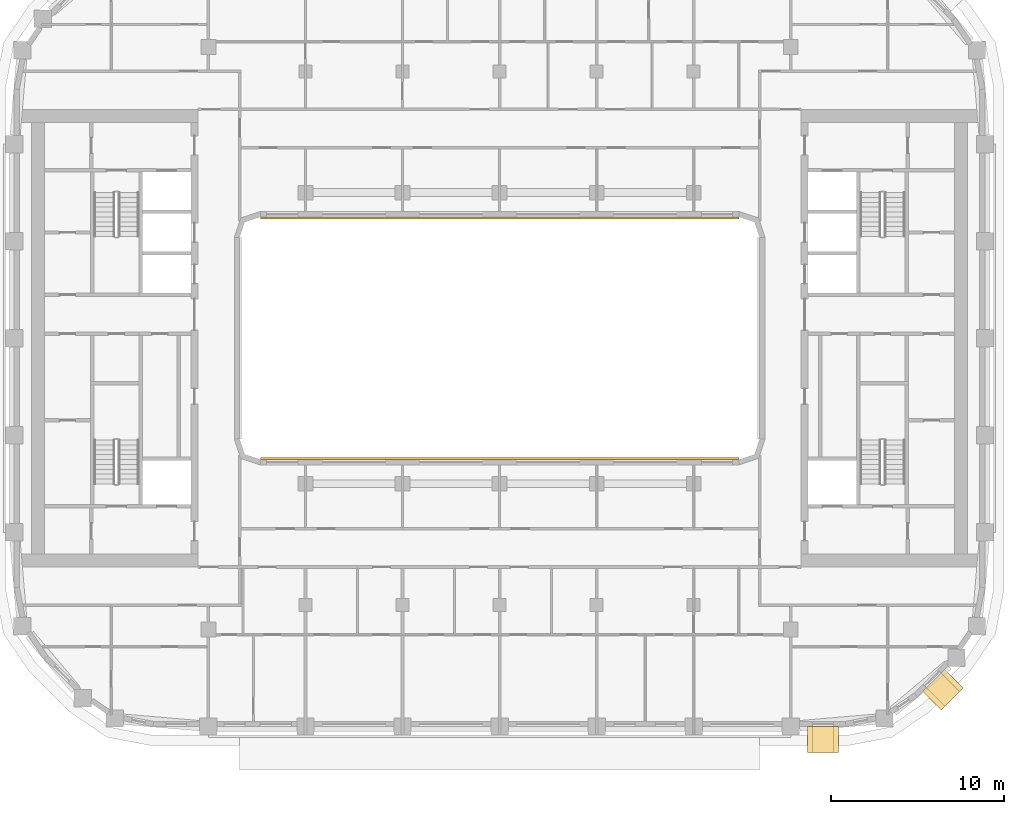
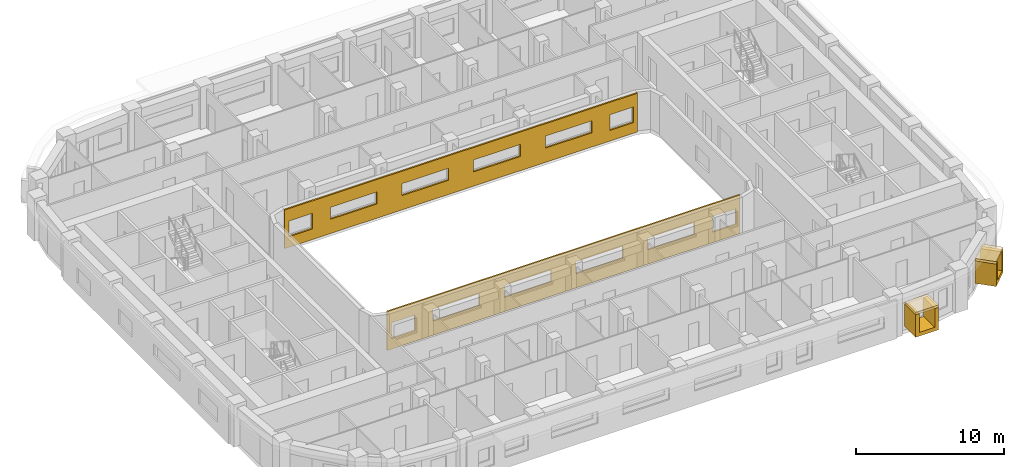
# One storey, part 16 of 22: 6 coverings.
"""IFC4 building model written with IfcOpenShell, lengths in metres."""

from ifc_helpers import new_model, si_unit, direction, frame, origin, origin_2d, place, context, subcontext, project, spatial, polyline, rectangle, outline, extrude, material, layer, layer_set, type_object, element, save


model = new_model("IFC4")

# Units and contexts
model_context = context("Model", 3, precision=1e-05, world=origin(), true_north=direction((0.0, 1.0)))
body_context = subcontext(model_context, "Body", "Model", "MODEL_VIEW")
ifc_project = project(units=[si_unit("LENGTHUNIT", "METRE"), si_unit("AREAUNIT", "SQUARE_METRE"), si_unit("VOLUMEUNIT", "CUBIC_METRE"), si_unit("PLANEANGLEUNIT", "RADIAN"), si_unit("MASSUNIT", "GRAM", prefix="KILO")], contexts=[model_context])

# Site, building, storey
site_placement = place(None, origin())
site = spatial("IfcSite", under=ifc_project, at=site_placement, CompositionType="ELEMENT")
building_placement = place(site_placement, origin())
building = spatial("IfcBuilding", under=site, at=building_placement, Name="Kiln Ring Residences", CompositionType="ELEMENT")
storey_placement = place(building_placement, frame((0.0, 0.0, 164.10009765625)))
storey = spatial("IfcBuildingStorey", under=building, at=storey_placement, Name="L42", CompositionType="ELEMENT", Elevation=164.10009765625)

# Coverings
ifc_material_1 = material(Name="Brick masonry, dark clay brick", Category="masonry")
ifc_layer_1 = layer(ifc_material_1, 0.300048828125)
ifc_layer_set_1 = layer_set([ifc_layer_1], Name="FRAME CHEEKS AND SILL 1500")
covering_type_1 = type_object("IfcCoveringType", Name="FRAME CHEEKS AND SILL 1500", PredefinedType="CLADDING", material=ifc_layer_set_1)
covering_1_placement = place(storey_placement, frame((17.75, -23.14990234375, 0.2998046875), z_axis=(0.0, 0.0, 1.0), x_axis=(1.0, 0.0, 0.0)))
element("IfcCovering", 1, at=covering_1_placement, inside=storey, type_object=covering_type_1, Name="FRAME L42", PredefinedType="CLADDING", context=body_context, shape_type="SweptSolid", body=[
    extrude(outline(polyline([(0.0, 0.0), (1.800048828125, 0.0), (1.800048828125, 1.85009765625), (1.5009765625, 1.85009765625), (1.5, 0.300048828125), (0.300048828125, 0.300048828125), (0.299072265625, 1.85009765625), (0.0, 1.85009765625), (0.0, 0.0)])), frame((0.0, 0.75, 0.0), z_axis=(0.0, -1.0, 0.0), x_axis=(1.0, 0.0, 0.0)), (0.0, 0.0, 1.0), 1.5),
])
covering_2_placement = place(storey_placement, frame((24.945556640625, -20.9150390625, 0.2998046875), z_axis=(0.0, 0.0, 1.0), x_axis=(0.707106781187, 0.707106781187, 0.0)))
element("IfcCovering", 2, at=covering_2_placement, inside=storey, type_object=covering_type_1, Name="FRAME L42", PredefinedType="CLADDING", context=body_context, shape_type="SweptSolid", body=[
    extrude(outline(polyline([(0.0, 0.0), (1.7998046875, 0.0), (1.800048828125, 1.85009765625), (1.5009765625, 1.85009765625), (1.5, 0.300048828125), (0.300048828125, 0.300048828125), (0.299072265625, 1.85009765625), (0.0, 1.85009765625), (0.0, 0.0)])), frame((0.0, 0.75, 0.0), z_axis=(0.0, -1.0, 0.0), x_axis=(1.0, 0.0, 0.0)), (0.0, 0.0, 1.0), 1.5),
])
ifc_material_2 = material(Name="Brick masonry, dark clay brick", Category="masonry")
ifc_layer_2 = layer(ifc_material_2, 0.199951171875)
ifc_layer_set_2 = layer_set([ifc_layer_2], Name="FRAME HEAD 1500")
covering_type_2 = type_object("IfcCoveringType", Name="FRAME HEAD 1500", PredefinedType="CLADDING", material=ifc_layer_set_2)
for number, where, z_axis, x_axis, name in (
    (3, (18.64990234375, -23.14990234375, 2.14990234375), (0.0, 0.0, 1.0), (1.0, 0.0, 0.0), "FRAME HEAD L42"),
    (4, (25.58203125, -20.278564453125, 2.14990234375), (0.0, 0.0, 1.0), (0.707106781187, 0.707106781187, 0.0), "FRAME HEAD L42"),
):
    element("IfcCovering", number, at=place(storey_placement, frame(where, z_axis=z_axis, x_axis=x_axis)), inside=storey, type_object=covering_type_2, Name=name, PredefinedType="CLADDING", context=body_context, shape_type="SweptSolid", body=[
        extrude(rectangle(XDim=1.800048828125, YDim=1.5, at=origin_2d()), origin(), (0.0, 0.0, 1.0), 0.199951171875),
    ])
ifc_material_3 = material(Name="Brick masonry, dark clay brick", Category="masonry")
ifc_layer_3 = layer(ifc_material_3, 0.1201171875)
ifc_layer_set_3 = layer_set([ifc_layer_3], Name="RAINSCREEN PANEL 120")
covering_type_3 = type_object("IfcCoveringType", Name="RAINSCREEN PANEL 120", PredefinedType="CLADDING", material=ifc_layer_set_3)
for number, where, z_axis, x_axis, name in (
    (5, (-13.800048828125, 6.93994140625, 0.0), (0.0, 0.0, 1.0), (1.0, 0.0, 0.0), "RAINSCREEN L42"),
    (6, (13.800048828125, -6.93994140625, 0.0), (0.0, 0.0, 1.0), (-1.0, 0.0, 0.0), "RAINSCREEN L42"),
):
    element("IfcCovering", number, at=place(storey_placement, frame(where, z_axis=z_axis, x_axis=x_axis)), inside=storey, type_object=covering_type_3, Name=name, PredefinedType="CLADDING", context=body_context, shape_type="SweptSolid", body=[
        extrude(outline(polyline([(0.0, 0.0), (27.60009765625, 0.0), (27.60009765625, 3.199951171875), (0.0, 3.199951171875), (0.0, 0.0)]), holes=[polyline([(2.1826171875, 0.8798828125), (2.1826171875, 2.169921875), (0.342529296875, 2.169921875), (0.342529296875, 0.8798828125), (2.1826171875, 0.8798828125)]), polyline([(25.41748046875, 0.8798828125), (27.257568359375, 0.8798828125), (27.257568359375, 2.169921875), (25.41748046875, 2.169921875), (25.41748046875, 0.8798828125)]), polyline([(3.580078125, 1.179931640625), (7.219970703125, 1.179931640625), (7.219970703125, 2.169921875), (3.580078125, 2.169921875), (3.580078125, 1.179931640625)]), polyline([(12.820068359375, 1.179931640625), (12.820068359375, 2.169921875), (9.179931640625, 2.169921875), (9.179931640625, 1.179931640625), (12.820068359375, 1.179931640625)]), polyline([(14.780029296875, 1.179931640625), (18.419921875, 1.179931640625), (18.419921875, 2.169921875), (14.780029296875, 2.169921875), (14.780029296875, 1.179931640625)]), polyline([(20.3798828125, 1.179931640625), (24.02001953125, 1.179931640625), (24.02001953125, 2.169921875), (20.3798828125, 2.169921875), (20.3798828125, 1.179931640625)])]), frame((0.0, 0.06005859375, 0.0), z_axis=(0.0, -1.0, 0.0), x_axis=(1.0, 0.0, 0.0)), (0.0, 0.0, 1.0), 0.1201171875),
    ])

save(model, "model.ifc")
